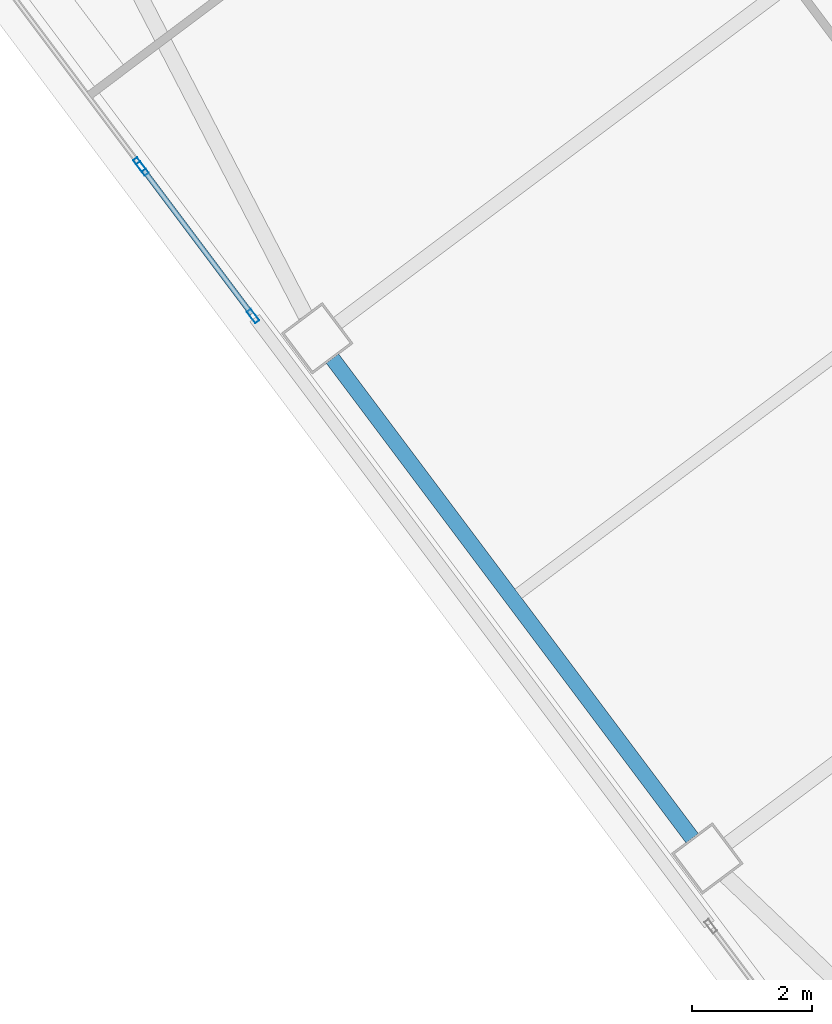
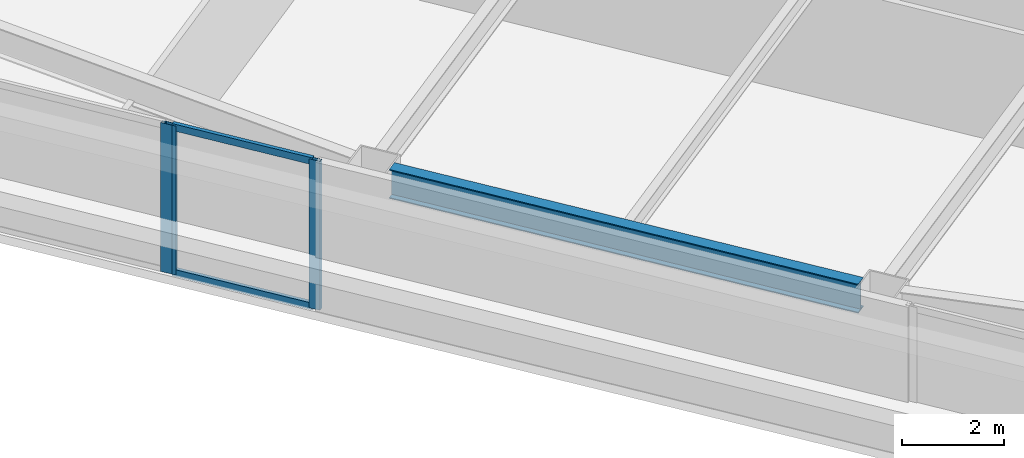
# One storey, part 19 of 46: 5 members, 1 beam, 2 elements without a shape of their own.
"""IFC4 building model written with IfcOpenShell, lengths in metres."""

from ifc_helpers import new_model, si_unit, direction, frame, origin, origin_2d, place, context, subcontext, project, spatial, hollow_rectangle, i_section, extrude, material, material_profile, profile_set, type_object, element, aggregate, save


model = new_model("IFC4")

# Units and contexts
model_context = context("Model", 3, precision=1e-05, world=origin(), true_north=direction((0.0, 1.0)))
body_context = subcontext(model_context, "Body", "Model", "MODEL_VIEW")
ifc_project = project(units=[si_unit("LENGTHUNIT", "METRE"), si_unit("AREAUNIT", "SQUARE_METRE"), si_unit("VOLUMEUNIT", "CUBIC_METRE"), si_unit("PLANEANGLEUNIT", "RADIAN"), si_unit("MASSUNIT", "GRAM", prefix="KILO")], contexts=[model_context])

# Site, building, storey
site_placement = place(None, origin())
site = spatial("IfcSite", under=ifc_project, at=site_placement, CompositionType="ELEMENT")
building_placement = place(site_placement, origin())
building = spatial("IfcBuilding", under=site, at=building_placement, Name="Tashvorn Skyway Center", CompositionType="ELEMENT")
storey_placement = place(building_placement, frame((0.0, 0.0, 31.699951171875)))
storey = spatial("IfcBuildingStorey", under=building, at=storey_placement, Name="L07", CompositionType="ELEMENT", Elevation=31.699951171875)

# Beam
ifc_material_1 = material(Name="Steel ASTM A992 Grade 50", Category="steel")
ifc_material_profile_1 = material_profile(ifc_material_1, i_section(OverallWidth=0.256103515625, OverallDepth=0.693115234375, WebThickness=0.014404296875, FlangeThickness=0.023681640625, at=origin_2d()), Name="W27X114")
ifc_profile_set_1 = profile_set([ifc_material_profile_1], Name="Steel ASTM A992 Grade 50")
beam_type = type_object("IfcBeamType", Name="BM-SPANDREL-W27X114", PredefinedType="SPANDREL", material=ifc_profile_set_1)
beam_placement = place(storey_placement, frame((94.172119140625, 23.35400390625, 3.003662109375), z_axis=(0.599988234018, -0.800008824351, 0.0), x_axis=(0.800008824351, 0.599988234018, 0.0)))
element("IfcBeam", 1, at=beam_placement, inside=storey, type_object=beam_type, Name="Tower 2 L07 Spandrel Beam 11", PredefinedType="SPANDREL", context=body_context, shape_type="SweptSolid", body=[
    extrude(i_section(OverallWidth=0.256103515625, OverallDepth=0.693115234375, WebThickness=0.014404296875, FlangeThickness=0.023681640625, at=origin_2d()), origin(), (0.0, 0.0, 1.0), 9.9599609375),
])

# Curtain wall, members
ifc_material_2 = material(Name="Thermally broken bronze-anodized aluminium 6063-T6", Category="aluminium")
curtain_wall_type = type_object("IfcCurtainWallType", Name="CW-CW-Z1", PredefinedType="NOTDEFINED", material=ifc_material_2)
curtain_wall_1_placement = place(storey_placement, origin())
curtain_wall_1 = element("IfcCurtainWall", 2, at=curtain_wall_1_placement, inside=storey, type_object=curtain_wall_type, Name="Tower 2 L07 West Unitised Curtain Wall Glazing Group 3", PredefinedType="NOTDEFINED")
ifc_material_profile_2 = material_profile(ifc_material_2, hollow_rectangle(XDim=0.0849609375, YDim=0.239990234375, WallThickness=0.0048828125, at=origin_2d()), Name="ALU-MULL-85x240")
ifc_profile_set_2 = profile_set([ifc_material_profile_2], Name="Thermally broken bronze-anodized aluminium 6063-T6")
member_type_1 = type_object("IfcMemberType", Name="CWM-CW-Z1", PredefinedType="MULLION", material=ifc_profile_set_2)
member_1_placement = place(storey_placement, frame((92.8544921875, 24.060791015625, 0.0), z_axis=(0.0, 0.0, 1.0), x_axis=(-0.799996186392, -0.600005084776, 0.0)))
member_1 = element("IfcMember", 3, at=member_1_placement, type_object=member_type_1, Name="CW-Z1 mullion 1", PredefinedType="MULLION", context=body_context, shape_type="SweptSolid", body=[
    extrude(hollow_rectangle(XDim=0.0849609375, YDim=0.239990234375, WallThickness=0.0048828125, at=origin_2d()), origin(), (0.0, 0.0, 1.0), 3.550048828125),
])
member_2_placement = place(storey_placement, frame((91.017578125, 26.510009765625, 0.0), z_axis=(0.0, 0.0, 1.0), x_axis=(-0.799996186392, -0.600005084776, 0.0)))
member_2 = element("IfcMember", 4, at=member_2_placement, type_object=member_type_1, Name="CW-Z1 mullion 2", PredefinedType="MULLION", context=body_context, shape_type="SweptSolid", body=[
    extrude(hollow_rectangle(XDim=0.0849609375, YDim=0.239990234375, WallThickness=0.0048828125, at=origin_2d()), origin(), (0.0, 0.0, 1.0), 3.550048828125),
])

# Curtain wall, member
curtain_wall_2_placement = place(storey_placement, origin())
curtain_wall_2 = element("IfcCurtainWall", 5, at=curtain_wall_2_placement, inside=storey, type_object=curtain_wall_type, Name="Tower 2 L07 West Unitised Curtain Wall Glazing Group 4", PredefinedType="NOTDEFINED")
member_3_placement = place(storey_placement, frame((90.966552734375, 26.577880859375, 0.0), z_axis=(0.0, 0.0, 1.0), x_axis=(-0.799999999998, -0.600000000002, 0.0)))
member_3 = element("IfcMember", 6, at=member_3_placement, type_object=member_type_1, Name="CW-Z1 mullion 1", PredefinedType="MULLION", context=body_context, shape_type="SweptSolid", body=[
    extrude(hollow_rectangle(XDim=0.0849609375, YDim=0.239990234375, WallThickness=0.0048828125, at=origin_2d()), origin(), (0.0, 0.0, 1.0), 3.550048828125),
])
aggregate(curtain_wall_2, [member_3])

# Member
ifc_material_profile_3 = material_profile(ifc_material_2, hollow_rectangle(XDim=0.0849609375, YDim=0.1650390625, WallThickness=0.0048828125, at=origin_2d()), Name="ALU-TRAN-85x165")
ifc_profile_set_3 = profile_set([ifc_material_profile_3], Name="Thermally broken bronze-anodized aluminium 6063-T6")
member_type_2 = type_object("IfcMemberType", Name="CWT-CW-Z1", PredefinedType="USERDEFINED", material=ifc_profile_set_3)
member_4_placement = place(storey_placement, frame((92.8291015625, 24.0947265625, 0.04248046875), z_axis=(-0.600026244674, 0.799980315822, 0.0), x_axis=(-0.799980315822, -0.600026244674, 0.0)))
member_4 = element("IfcMember", 7, at=member_4_placement, type_object=member_type_2, Name="CW-Z1 transom 1.1", ObjectType="TRANSOM", PredefinedType="USERDEFINED", context=body_context, shape_type="SweptSolid", body=[
    extrude(hollow_rectangle(XDim=0.0849609375, YDim=0.1650390625, WallThickness=0.0048828125, at=origin_2d()), origin(), (0.0, 0.0, 1.0), 2.976806640625),
])

member_5_placement = place(storey_placement, frame((92.8291015625, 24.0947265625, 3.507568359375), z_axis=(-0.600026244674, 0.799980315822, 0.0), x_axis=(-0.799980315822, -0.600026244674, 0.0)))
member_5 = element("IfcMember", 8, at=member_5_placement, type_object=member_type_2, Name="CW-Z1 transom 1.2", ObjectType="TRANSOM", PredefinedType="USERDEFINED", context=body_context, shape_type="SweptSolid", body=[
    extrude(hollow_rectangle(XDim=0.0849609375, YDim=0.1650390625, WallThickness=0.0048828125, at=origin_2d()), origin(), (0.0, 0.0, 1.0), 2.976806640625),
])

aggregate(curtain_wall_1, [member_1, member_2, member_4, member_5])

save(model, "model.ifc")
